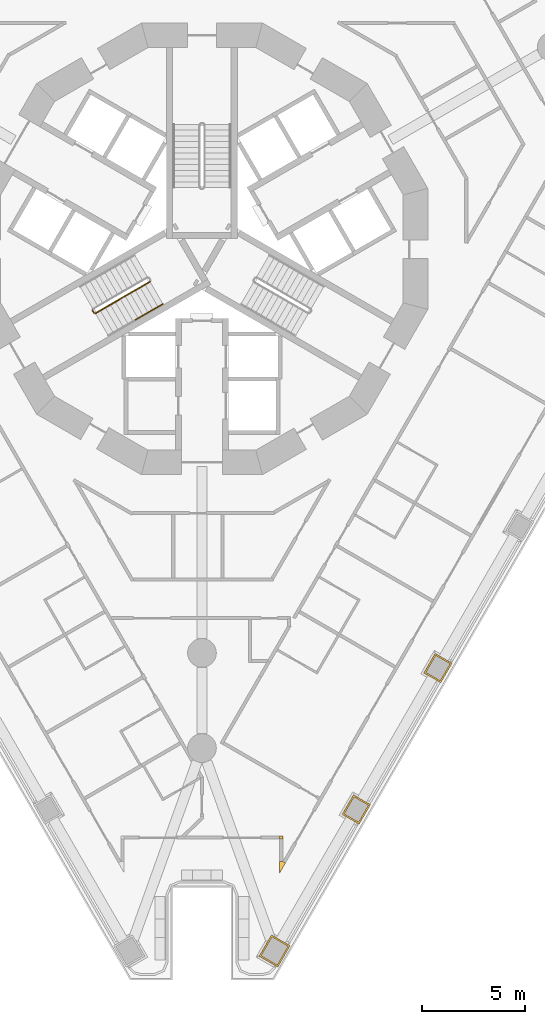
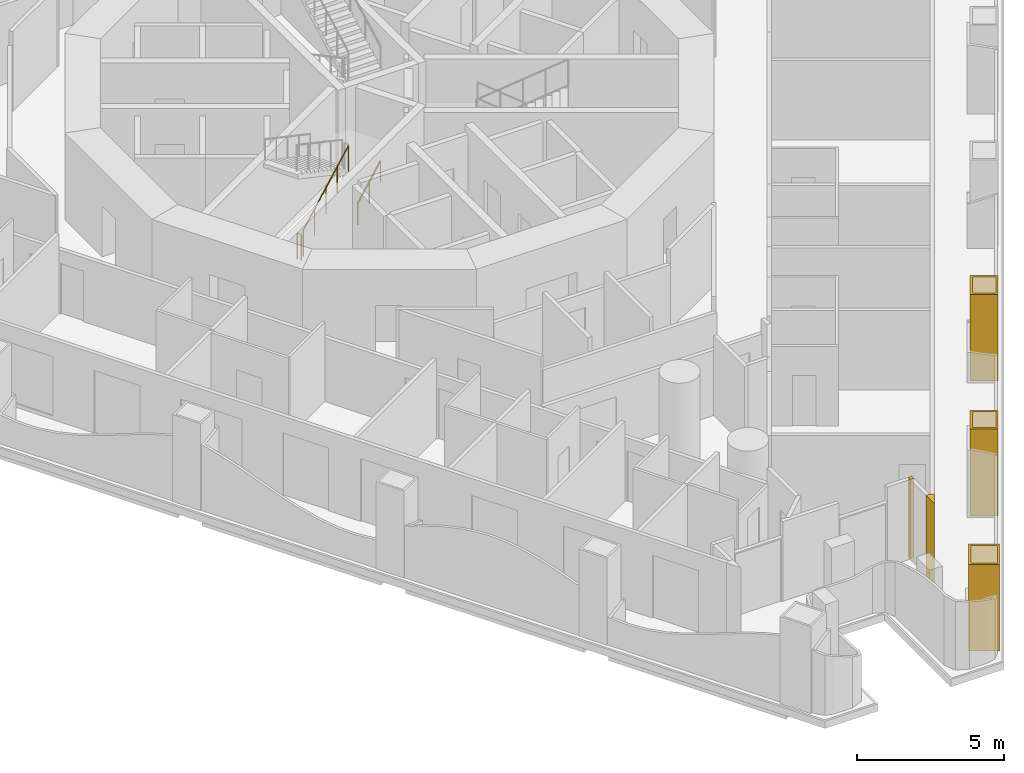
# One storey, part 13 of 19: 5 coverings, 3 railings.
"""IFC4 building model written with IfcOpenShell, lengths in metres."""

import ifcopenshell
import ifcopenshell.guid

model = None  # the IFC model being written
_history = None  # IfcOwnerHistory: only IFC2X3 demands one
_inside = {}  # id of a spatial element -> (the spatial element, [elements in it])
_under = {}  # id of a project, library or spatial element -> (it, [spatial elements below it])
_declared = {}  # id of a project -> (the project, [libraries it declares])
_typed = {}  # id of a type object -> (the type object, [elements of that type])
_made_of = {}  # id of a material, layer set ... -> (it, [elements and type objects made of it])


def new_model(schema):
    """Start an empty IFC model of exactly this schema.

    Asked for "IFC4X3", IfcOpenShell would pick the latest addendum, in which some entities
    have other attributes; the version numbers below select the first issue.
    IFC2X3 requires an IfcOwnerHistory on every rooted entity: one is made here for all.
    """
    global model, _history
    if schema == "IFC4X3":
        model = ifcopenshell.file(schema_version=(4, 3, 0, 0))
    else:
        model = ifcopenshell.file(schema=schema)
    _inside.clear()
    _under.clear()
    _declared.clear()
    _typed.clear()
    _made_of.clear()
    _history = None
    if model.schema == "IFC2X3":
        org = make("IfcOrganization", Name="unknown")
        user = make(
            "IfcPersonAndOrganization",
            ThePerson=make("IfcPerson", FamilyName="unknown"),
            TheOrganization=org,
        )
        app = make(
            "IfcApplication",
            ApplicationDeveloper=org,
            Version="unknown",
            ApplicationFullName="unknown",
            ApplicationIdentifier="unknown",
        )
        _history = make(
            "IfcOwnerHistory",
            OwningUser=user,
            OwningApplication=app,
            ChangeAction="ADDED",
            CreationDate=0,
        )
    return model


def make(cls, **values):
    """One entity of the class cls with the attributes given. An attribute that is None is left unset."""
    return model.create_entity(
        cls, **{name: value for name, value in values.items() if value is not None}
    )


def rooted(cls, **values):
    """An entity with a GlobalId (a new one), such as an element, a storey or a relation."""
    return make(cls, GlobalId=ifcopenshell.guid.new(), OwnerHistory=_history, **values)


def si_unit(unit_type, name, prefix=None):
    """IfcSIUnit, for example si_unit("LENGTHUNIT", "METRE", prefix="MILLI")."""
    return make("IfcSIUnit", UnitType=unit_type, Prefix=prefix, Name=name)


def assignment(units):
    """IfcUnitAssignment: the units of a project."""
    return None if units is None else make("IfcUnitAssignment", Units=units)


def point(xyz):
    """IfcCartesianPoint."""
    return None if xyz is None else make("IfcCartesianPoint", Coordinates=xyz)


def direction(xyz):
    """IfcDirection."""
    return None if xyz is None else make("IfcDirection", DirectionRatios=xyz)


def frame(location, z_axis=None, x_axis=None):
    """IfcAxis2Placement3D, a coordinate frame: its origin and axes. An axis left out is left unset."""
    return make(
        "IfcAxis2Placement3D",
        Location=point(location),
        Axis=direction(z_axis),
        RefDirection=direction(x_axis),
    )


def frame_2d(location, x_axis=None):
    """IfcAxis2Placement2D, a coordinate frame in the plane: its origin and x axis."""
    return make(
        "IfcAxis2Placement2D", Location=point(location), RefDirection=direction(x_axis)
    )


def origin():
    """The frame at (0, 0, 0) with its axes left unset."""
    return frame((0.0, 0.0, 0.0))


def origin_2d():
    """The frame at (0, 0) in the plane with its x axis left unset."""
    return frame_2d((0.0, 0.0))


def place(relative_to, where):
    """IfcLocalPlacement: puts the frame where relative to a parent placement (None: the world)."""
    return make(
        "IfcLocalPlacement", PlacementRelTo=relative_to, RelativePlacement=where
    )


def context(
    kind, dimensions, precision=None, world=None, true_north=None, identifier=None
):
    """IfcGeometricRepresentationContext, for example the 3D "Model" context."""
    return make(
        "IfcGeometricRepresentationContext",
        ContextIdentifier=identifier,
        ContextType=kind,
        CoordinateSpaceDimension=dimensions,
        Precision=precision,
        WorldCoordinateSystem=world,
        TrueNorth=true_north,
    )


def subcontext(parent, identifier, kind, view, scale=None):
    """IfcGeometricRepresentationSubContext, for example "Body" below "Model"."""
    return make(
        "IfcGeometricRepresentationSubContext",
        ContextIdentifier=identifier,
        ContextType=kind,
        ParentContext=parent,
        TargetScale=scale,
        TargetView=view,
    )


def project(units=None, contexts=None):
    """IfcProject with its units and contexts."""
    return rooted(
        "IfcProject",
        Name="project",
        RepresentationContexts=contexts,
        UnitsInContext=assignment(units),
    )


def spatial(cls, under=None, at=None, **own):
    """A site, building, storey or space (cls), placed at a placement, below another one or the project."""
    s = rooted(cls, ObjectPlacement=at, **own)
    if under is not None:
        _under.setdefault(under.id(), (under, []))[1].append(s)
    return s


def polyline(points):
    """IfcPolyline through the points."""
    return make("IfcPolyline", Points=[point(p) for p in points])


def profile(cls, at=None, kind="AREA", **sizes):
    """A parametric profile (cls). Its sizes go by their IFC names, for example OverallWidth=200.0."""
    return make(cls, ProfileType=kind, Position=at, **sizes)


def circle(**sizes):
    """IfcCircleProfileDef."""
    return profile("IfcCircleProfileDef", **sizes)


def outline(outer, holes=None, kind="AREA"):
    """IfcArbitraryClosedProfileDef: a profile drawn as a closed curve; with holes, ...WithVoids."""
    if holes is None:
        return make("IfcArbitraryClosedProfileDef", ProfileType=kind, OuterCurve=outer)
    return make(
        "IfcArbitraryProfileDefWithVoids",
        ProfileType=kind,
        OuterCurve=outer,
        InnerCurves=holes,
    )


def extrude(swept, where, along, depth):
    """IfcExtrudedAreaSolid: the profile swept, set in the frame where, extruded along a direction by depth."""
    return make(
        "IfcExtrudedAreaSolid",
        SweptArea=swept,
        Position=where,
        ExtrudedDirection=direction(along),
        Depth=depth,
    )


def shape(context_of_items, identifier, shape_type, items):
    """IfcShapeRepresentation: the items that make up one representation, for example the "Body"."""
    return make(
        "IfcShapeRepresentation",
        ContextOfItems=context_of_items,
        RepresentationIdentifier=identifier,
        RepresentationType=shape_type,
        Items=items,
    )


def material(Name=None, Category=None):
    """IfcMaterial."""
    return make("IfcMaterial", Name=Name, Category=Category)


def layer(
    of_material, thickness, ventilated=None, Name=None, Category=None, Priority=None
):
    """IfcMaterialLayer: one layer of a wall or slab, of a material (None: an air gap)."""
    return make(
        "IfcMaterialLayer",
        Material=of_material,
        LayerThickness=thickness,
        IsVentilated=ventilated,
        Name=Name,
        Category=Category,
        Priority=Priority,
    )


def layer_set(layers, Name=None):
    """IfcMaterialLayerSet."""
    return make("IfcMaterialLayerSet", MaterialLayers=layers, LayerSetName=Name)


def made_of(thing, what):
    """Note that an element or type object is made of a material, layer set ...; save() writes the relation."""
    if what is not None:
        _made_of.setdefault(what.id(), (what, []))[1].append(thing)
    return thing


def type_object(cls, material=None, **own):
    """A type object (cls), such as IfcWallType, which elements share."""
    return made_of(rooted(cls, **own), material)


def element(
    cls,
    number,
    at=None,
    inside=None,
    cuts=None,
    type_object=None,
    material=None,
    context=None,
    identifier="Body",
    shape_type=None,
    held_by="IfcProductDefinitionShape",
    body=None,
    shapes=None,
    **own,
):
    """One element of the class cls, such as IfcWall. Its Tag is "e" and its number.

    at: its placement. inside: the storey or other place that contains it. cuts: it is an
    opening in that element (IfcRelVoidsElement). A single representation is given by context,
    identifier, shape_type and body (its items); several are given by shapes. held_by: the class
    of the entity that holds the representations. save() writes the other relations.
    """
    e = rooted(cls, Tag="e%d" % number, ObjectPlacement=at, **own)
    if body is not None:
        shapes = [shape(context, identifier, shape_type, body)]
    if shapes is not None:
        e.Representation = make(held_by, Representations=shapes)
    if inside is not None:
        _inside.setdefault(inside.id(), (inside, []))[1].append(e)
    if cuts is not None:
        rooted(
            "IfcRelVoidsElement", RelatingBuildingElement=cuts, RelatedOpeningElement=e
        )
    if type_object is not None:
        _typed.setdefault(type_object.id(), (type_object, []))[1].append(e)
    return made_of(e, material)


def aggregate(whole, parts):
    """IfcRelAggregates: a whole, such as a stair, and the parts it consists of."""
    return rooted("IfcRelAggregates", RelatingObject=whole, RelatedObjects=parts)


def save(model, path):
    """Write the relations noted so far, then the file.

    IfcRelAggregates (storeys below a building ...), IfcRelContainedInSpatialStructure (elements
    in a storey), IfcRelDefinesByType, IfcRelAssociatesMaterial and IfcRelDeclares: one each for
    every whole, place, type object, material and project.
    """
    for whole, parts in _under.values():
        aggregate(whole, parts)
    for where, things in _inside.values():
        rooted(
            "IfcRelContainedInSpatialStructure",
            RelatedElements=things,
            RelatingStructure=where,
        )
    for kind, things in _typed.values():
        rooted("IfcRelDefinesByType", RelatedObjects=things, RelatingType=kind)
    for what, things in _made_of.values():
        rooted("IfcRelAssociatesMaterial", RelatedObjects=things, RelatingMaterial=what)
    for by, libraries in _declared.values():
        rooted("IfcRelDeclares", RelatingContext=by, RelatedDefinitions=libraries)
    model.write(path)


model = new_model("IFC4")

# Units and contexts
model_context = context("Model", 3, precision=1e-05, world=origin(), true_north=direction((0.0, 1.0)))
body_context = subcontext(model_context, "Body", "Model", "MODEL_VIEW")
ifc_project = project(units=[si_unit("LENGTHUNIT", "METRE"), si_unit("AREAUNIT", "SQUARE_METRE"), si_unit("VOLUMEUNIT", "CUBIC_METRE"), si_unit("PLANEANGLEUNIT", "RADIAN"), si_unit("MASSUNIT", "GRAM", prefix="KILO")], contexts=[model_context])

# Site, building, storey
site_placement = place(None, origin())
site = spatial("IfcSite", under=ifc_project, at=site_placement, CompositionType="ELEMENT")
building_placement = place(site_placement, origin())
building = spatial("IfcBuilding", under=site, at=building_placement, Name="Trine Commons Tower", CompositionType="ELEMENT")
storey_placement = place(building_placement, frame((0.0, 0.0, 31.5)))
storey = spatial("IfcBuildingStorey", under=building, at=storey_placement, Name="L06", CompositionType="ELEMENT", Elevation=31.5)

# Coverings
ifc_material_1 = material(Name="Aluminium-framed insulated wall panel", Category="aluminium")
ifc_layer_1 = layer(ifc_material_1, 0.14990234375)
ifc_layer_set_1 = layer_set([ifc_layer_1], Name="Aluminium-framed insulated wall panel")
covering_type_1 = type_object("IfcCoveringType", Name="Glazing corner post, aluminium", PredefinedType="CLADDING", material=ifc_layer_set_1)
covering_1_placement = place(storey_placement, origin())
element("IfcCovering", 1, at=covering_1_placement, inside=storey, type_object=covering_type_1, Name="Glazing corner post 1-09", PredefinedType="CLADDING", context=body_context, shape_type="SweptSolid", body=[
    extrude(outline(polyline([(83.7900390625, 32.635009765625), (83.7900390625, 32.0751953125), (84.06982421875, 32.56005859375), (83.93994140625, 32.635009765625), (83.93994140625, 32.635009765625), (83.7900390625, 32.635009765625)])), origin(), (0.0, 0.0, 1.0), 3.300048828125),
])
covering_2_placement = place(storey_placement, origin())
element("IfcCovering", 2, at=covering_2_placement, inside=storey, type_object=covering_type_1, Name="Glazing corner post 1-10", PredefinedType="CLADDING", context=body_context, shape_type="SweptSolid", body=[
    extrude(outline(polyline([(83.93994140625, 33.720703125), (83.93994140625, 33.870849609375), (83.7900390625, 33.870849609375), (83.7900390625, 33.720703125), (83.93994140625, 33.720703125)])), origin(), (0.0, 0.0, 1.0), 3.300048828125),
])
ifc_material_2 = material(Name="Limestone, honed", Category="masonry")
ifc_layer_2 = layer(ifc_material_2, 0.074951171875)
ifc_layer_set_2 = layer_set([ifc_layer_2], Name="Limestone, honed")
covering_type_2 = type_object("IfcCoveringType", Name="Limestone column cladding 75", PredefinedType="CLADDING", material=ifc_layer_set_2)
covering_3_placement = place(storey_placement, origin())
element("IfcCovering", 3, at=covering_3_placement, inside=storey, type_object=covering_type_2, Name="Limestone pier cladding 1-22", PredefinedType="CLADDING", context=body_context, shape_type="SweptSolid", body=[
    extrude(outline(polyline([(92.1943359375, 42.3017578125), (91.37158203125, 42.77685546875), (90.821533203125, 41.82421875), (91.644287109375, 41.34912109375), (92.1943359375, 42.3017578125)]), holes=[polyline([(92.091796875, 42.2744140625), (91.39892578125, 42.67431640625), (90.924072265625, 41.8515625), (91.61669921875, 41.45166015625), (92.091796875, 42.2744140625)])]), origin(), (0.0, 0.0, 1.0), 3.60009765625),
])
covering_4_placement = place(storey_placement, origin())
element("IfcCovering", 4, at=covering_4_placement, inside=storey, type_object=covering_type_2, Name="Limestone pier cladding 1-23", PredefinedType="CLADDING", context=body_context, shape_type="SweptSolid", body=[
    extrude(outline(polyline([(88.212646484375, 35.4052734375), (87.389892578125, 35.88037109375), (86.83984375, 34.927734375), (87.66259765625, 34.45263671875), (88.212646484375, 35.4052734375)]), holes=[polyline([(88.110107421875, 35.3779296875), (87.417236328125, 35.77783203125), (86.9423828125, 34.955078125), (87.635009765625, 34.55517578125), (88.110107421875, 35.3779296875)])]), origin(), (0.0, 0.0, 1.0), 3.60009765625),
])
covering_5_placement = place(storey_placement, origin())
element("IfcCovering", 5, at=covering_5_placement, inside=storey, type_object=covering_type_2, Name="Limestone pier cladding 1-24", PredefinedType="CLADDING", context=body_context, shape_type="SweptSolid", body=[
    extrude(outline(polyline([(84.29931640625, 28.527099609375), (83.389892578125, 29.052001953125), (82.789794921875, 28.012939453125), (83.69921875, 27.48779296875), (84.29931640625, 28.527099609375)]), holes=[polyline([(84.19677734375, 28.499755859375), (83.417236328125, 28.94970703125), (82.892333984375, 28.040283203125), (83.671630859375, 27.59033203125), (84.19677734375, 28.499755859375)])]), origin(), (0.0, 0.0, 1.0), 3.60009765625),
])

# Railings
ifc_material_3 = material(Name="Stainless steel balustrade", Category="steel")
railing_type_1 = type_object("IfcRailingType", Name="Stair guard, steel balustrade 1100", PredefinedType="GUARDRAIL", material=ifc_material_3)
railing_1_placement = place(storey_placement, frame((74.80517578125, 59.3564453125, 0.14990234375)))
element("IfcRailing", 6, at=railing_1_placement, inside=storey, type_object=railing_type_1, Name="L06 ST2A stair guard 1", PredefinedType="GUARDRAIL", context=body_context, shape_type="SweptSolid", body=[
    extrude(circle(Radius=0.02392578125, at=origin_2d()), frame((0.0, 0.0, 1.076171875), z_axis=(0.763379768245, 0.440728498818, 0.472239049384), x_axis=(-0.499992328818, 0.866029832698, 0.0)), (0.0, 0.0, 1.0), 3.494384765625),
    extrude(circle(Radius=0.02099609375, at=origin_2d()), origin(), (0.0, 0.0, 1.0), 1.052001953125),
    extrude(circle(Radius=0.02099609375, at=origin_2d()), frame((0.6669921875, 0.385009765625, 0.41259765625)), (0.0, 0.0, 1.0), 1.052001953125),
    extrude(circle(Radius=0.02099609375, at=origin_2d()), frame((1.333740234375, 0.77001953125, 0.8251953125)), (0.0, 0.0, 1.0), 1.052001953125),
    extrude(circle(Radius=0.02099609375, at=origin_2d()), frame((2.00048828125, 1.155029296875, 1.237548828125)), (0.0, 0.0, 1.0), 1.052001953125),
    extrude(circle(Radius=0.02099609375, at=origin_2d()), frame((2.66748046875, 1.5400390625, 1.650146484375)), (0.0, 0.0, 1.0), 1.052001953125),
])
railing_2_placement = place(storey_placement, frame((74.73681640625, 59.374755859375, 0.0)))
element("IfcRailing", 7, at=railing_2_placement, inside=storey, type_object=railing_type_1, Name="L06 ST2A stair guard 4", PredefinedType="GUARDRAIL", context=body_context, shape_type="SweptSolid", body=[
    extrude(circle(Radius=0.02392578125, at=origin_2d()), frame((0.0, 0.0, 1.076171875), z_axis=(-0.499816412211, 0.866131372301, 0.0), x_axis=(-0.866131372301, -0.499816412211, 0.0)), (0.0, 0.0, 1.0), 0.14990234375),
    extrude(circle(Radius=0.02099609375, at=origin_2d()), origin(), (0.0, 0.0, 1.0), 1.052001953125),
    extrude(circle(Radius=0.02099609375, at=origin_2d()), frame((-0.074951171875, 0.1298828125, 0.0)), (0.0, 0.0, 1.0), 1.052001953125),
])
ifc_material_4 = material(Name="Stainless steel handrail", Category="steel")
railing_type_2 = type_object("IfcRailingType", Name="Stair handrail, steel 900", PredefinedType="HANDRAIL", material=ifc_material_4)
railing_3_placement = place(storey_placement, frame((76.763916015625, 59.0439453125, 0.97509765625)))
element("IfcRailing", 8, at=railing_3_placement, inside=storey, type_object=railing_type_2, Name="L06 ST2A stair handrail 2", PredefinedType="HANDRAIL", context=body_context, shape_type="SweptSolid", body=[
    extrude(circle(Radius=0.02099609375, at=origin_2d()), frame((0.0, 0.0, 0.87890625), z_axis=(0.76340495495, 0.440743040072, 0.472184759798), x_axis=(-0.499992328818, 0.866029832698, 0.0)), (0.0, 0.0, 1.0), 1.7470703125),
    extrude(circle(Radius=0.01513671875, at=origin_2d()), origin(), (0.0, 0.0, 1.0), 0.85791015625),
    extrude(circle(Radius=0.01513671875, at=origin_2d()), frame((0.6669921875, 0.385009765625, 0.41259765625)), (0.0, 0.0, 1.0), 0.85791015625),
    extrude(circle(Radius=0.01513671875, at=origin_2d()), frame((1.333740234375, 0.77001953125, 0.824951171875)), (0.0, 0.0, 1.0), 0.85791015625),
])

save(model, "model.ifc")
